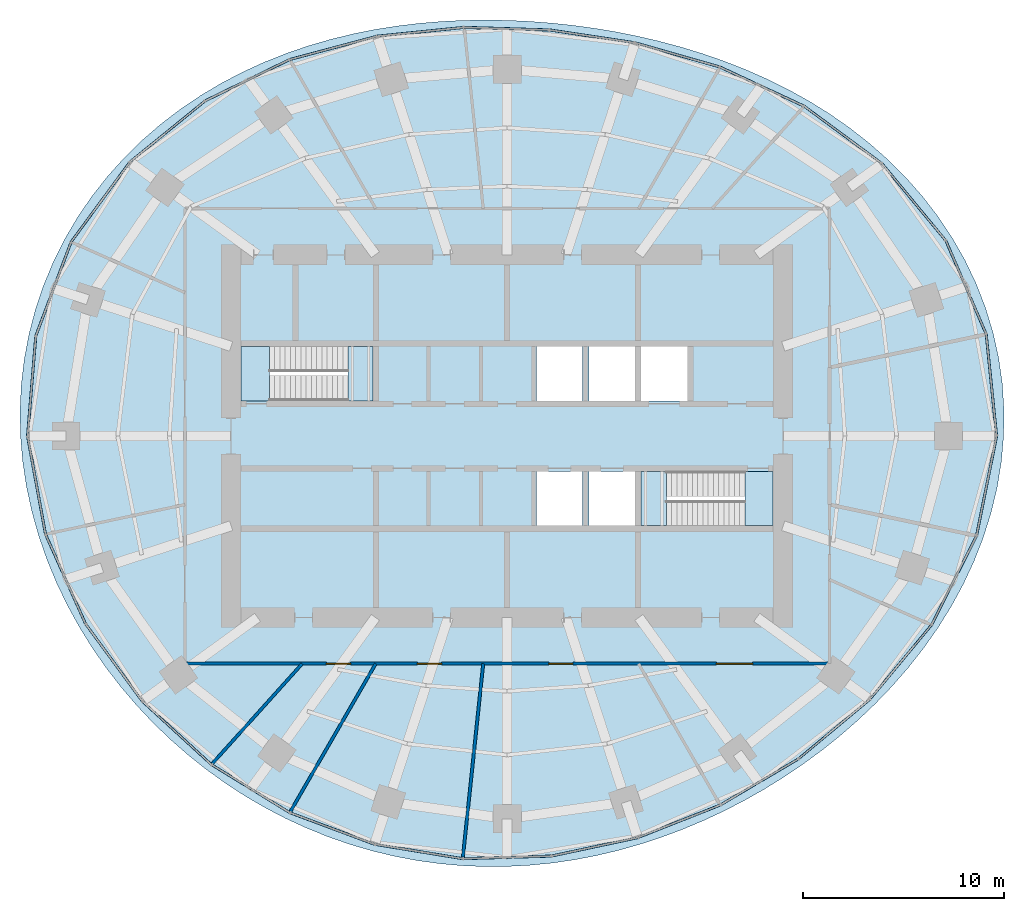
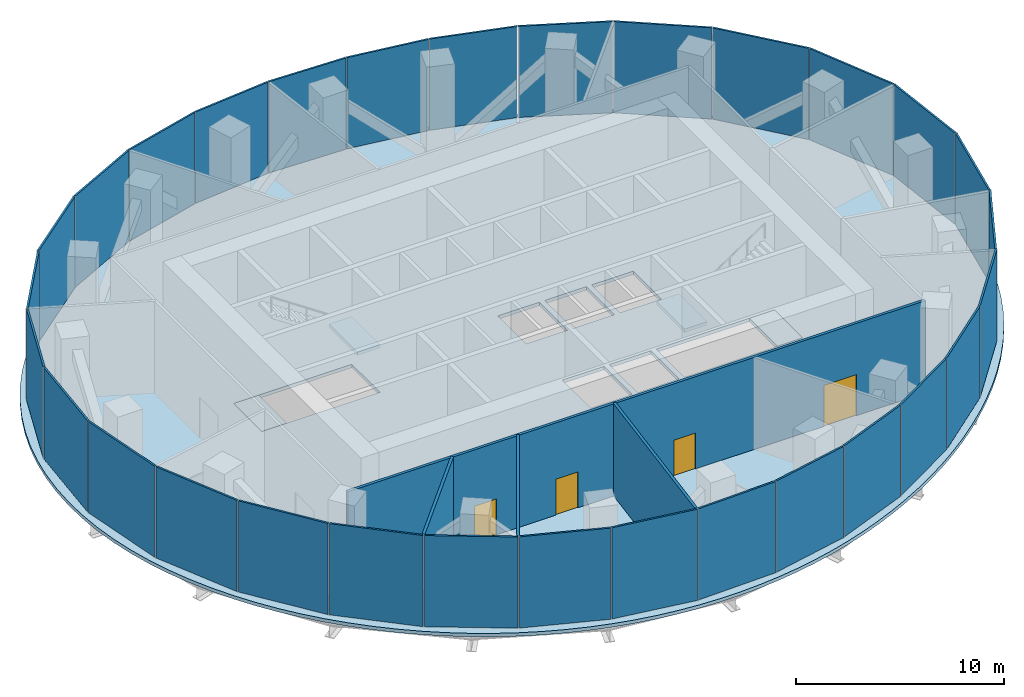
# One storey, part 9 of 13: 30 plates, 5 slabs, 4 doors, 4 walls, 4 openings, 8 elements without a shape of their own.
"""IFC4 building model written with IfcOpenShell, lengths in metres."""

import ifcopenshell
import ifcopenshell.guid

model = None  # the IFC model being written
_history = None  # IfcOwnerHistory: only IFC2X3 demands one
_inside = {}  # id of a spatial element -> (the spatial element, [elements in it])
_under = {}  # id of a project, library or spatial element -> (it, [spatial elements below it])
_declared = {}  # id of a project -> (the project, [libraries it declares])
_typed = {}  # id of a type object -> (the type object, [elements of that type])
_made_of = {}  # id of a material, layer set ... -> (it, [elements and type objects made of it])


def new_model(schema):
    """Start an empty IFC model of exactly this schema.

    Asked for "IFC4X3", IfcOpenShell would pick the latest addendum, in which some entities
    have other attributes; the version numbers below select the first issue.
    IFC2X3 requires an IfcOwnerHistory on every rooted entity: one is made here for all.
    """
    global model, _history
    if schema == "IFC4X3":
        model = ifcopenshell.file(schema_version=(4, 3, 0, 0))
    else:
        model = ifcopenshell.file(schema=schema)
    _inside.clear()
    _under.clear()
    _declared.clear()
    _typed.clear()
    _made_of.clear()
    _history = None
    if model.schema == "IFC2X3":
        org = make("IfcOrganization", Name="unknown")
        user = make(
            "IfcPersonAndOrganization",
            ThePerson=make("IfcPerson", FamilyName="unknown"),
            TheOrganization=org,
        )
        app = make(
            "IfcApplication",
            ApplicationDeveloper=org,
            Version="unknown",
            ApplicationFullName="unknown",
            ApplicationIdentifier="unknown",
        )
        _history = make(
            "IfcOwnerHistory",
            OwningUser=user,
            OwningApplication=app,
            ChangeAction="ADDED",
            CreationDate=0,
        )
    return model


def make(cls, **values):
    """One entity of the class cls with the attributes given. An attribute that is None is left unset."""
    return model.create_entity(
        cls, **{name: value for name, value in values.items() if value is not None}
    )


def rooted(cls, **values):
    """An entity with a GlobalId (a new one), such as an element, a storey or a relation."""
    return make(cls, GlobalId=ifcopenshell.guid.new(), OwnerHistory=_history, **values)


def si_unit(unit_type, name, prefix=None):
    """IfcSIUnit, for example si_unit("LENGTHUNIT", "METRE", prefix="MILLI")."""
    return make("IfcSIUnit", UnitType=unit_type, Prefix=prefix, Name=name)


def assignment(units):
    """IfcUnitAssignment: the units of a project."""
    return None if units is None else make("IfcUnitAssignment", Units=units)


def point(xyz):
    """IfcCartesianPoint."""
    return None if xyz is None else make("IfcCartesianPoint", Coordinates=xyz)


def direction(xyz):
    """IfcDirection."""
    return None if xyz is None else make("IfcDirection", DirectionRatios=xyz)


def frame(location, z_axis=None, x_axis=None):
    """IfcAxis2Placement3D, a coordinate frame: its origin and axes. An axis left out is left unset."""
    return make(
        "IfcAxis2Placement3D",
        Location=point(location),
        Axis=direction(z_axis),
        RefDirection=direction(x_axis),
    )


def frame_2d(location, x_axis=None):
    """IfcAxis2Placement2D, a coordinate frame in the plane: its origin and x axis."""
    return make(
        "IfcAxis2Placement2D", Location=point(location), RefDirection=direction(x_axis)
    )


def origin():
    """The frame at (0, 0, 0) with its axes left unset."""
    return frame((0.0, 0.0, 0.0))


def origin_2d():
    """The frame at (0, 0) in the plane with its x axis left unset."""
    return frame_2d((0.0, 0.0))


def place(relative_to, where):
    """IfcLocalPlacement: puts the frame where relative to a parent placement (None: the world)."""
    return make(
        "IfcLocalPlacement", PlacementRelTo=relative_to, RelativePlacement=where
    )


def context(
    kind, dimensions, precision=None, world=None, true_north=None, identifier=None
):
    """IfcGeometricRepresentationContext, for example the 3D "Model" context."""
    return make(
        "IfcGeometricRepresentationContext",
        ContextIdentifier=identifier,
        ContextType=kind,
        CoordinateSpaceDimension=dimensions,
        Precision=precision,
        WorldCoordinateSystem=world,
        TrueNorth=true_north,
    )


def subcontext(parent, identifier, kind, view, scale=None):
    """IfcGeometricRepresentationSubContext, for example "Body" below "Model"."""
    return make(
        "IfcGeometricRepresentationSubContext",
        ContextIdentifier=identifier,
        ContextType=kind,
        ParentContext=parent,
        TargetScale=scale,
        TargetView=view,
    )


def project(units=None, contexts=None):
    """IfcProject with its units and contexts."""
    return rooted(
        "IfcProject",
        Name="project",
        RepresentationContexts=contexts,
        UnitsInContext=assignment(units),
    )


def spatial(cls, under=None, at=None, **own):
    """A site, building, storey or space (cls), placed at a placement, below another one or the project."""
    s = rooted(cls, ObjectPlacement=at, **own)
    if under is not None:
        _under.setdefault(under.id(), (under, []))[1].append(s)
    return s


def polyline(points):
    """IfcPolyline through the points."""
    return make("IfcPolyline", Points=[point(p) for p in points])


def profile(cls, at=None, kind="AREA", **sizes):
    """A parametric profile (cls). Its sizes go by their IFC names, for example OverallWidth=200.0."""
    return make(cls, ProfileType=kind, Position=at, **sizes)


def rectangle(**sizes):
    """IfcRectangleProfileDef."""
    return profile("IfcRectangleProfileDef", **sizes)


def outline(outer, holes=None, kind="AREA"):
    """IfcArbitraryClosedProfileDef: a profile drawn as a closed curve; with holes, ...WithVoids."""
    if holes is None:
        return make("IfcArbitraryClosedProfileDef", ProfileType=kind, OuterCurve=outer)
    return make(
        "IfcArbitraryProfileDefWithVoids",
        ProfileType=kind,
        OuterCurve=outer,
        InnerCurves=holes,
    )


def extrude(swept, where, along, depth):
    """IfcExtrudedAreaSolid: the profile swept, set in the frame where, extruded along a direction by depth."""
    return make(
        "IfcExtrudedAreaSolid",
        SweptArea=swept,
        Position=where,
        ExtrudedDirection=direction(along),
        Depth=depth,
    )


def shape(context_of_items, identifier, shape_type, items):
    """IfcShapeRepresentation: the items that make up one representation, for example the "Body"."""
    return make(
        "IfcShapeRepresentation",
        ContextOfItems=context_of_items,
        RepresentationIdentifier=identifier,
        RepresentationType=shape_type,
        Items=items,
    )


def material(Name=None, Category=None):
    """IfcMaterial."""
    return make("IfcMaterial", Name=Name, Category=Category)


def layer(
    of_material, thickness, ventilated=None, Name=None, Category=None, Priority=None
):
    """IfcMaterialLayer: one layer of a wall or slab, of a material (None: an air gap)."""
    return make(
        "IfcMaterialLayer",
        Material=of_material,
        LayerThickness=thickness,
        IsVentilated=ventilated,
        Name=Name,
        Category=Category,
        Priority=Priority,
    )


def layer_set(layers, Name=None):
    """IfcMaterialLayerSet."""
    return make("IfcMaterialLayerSet", MaterialLayers=layers, LayerSetName=Name)


def made_of(thing, what):
    """Note that an element or type object is made of a material, layer set ...; save() writes the relation."""
    if what is not None:
        _made_of.setdefault(what.id(), (what, []))[1].append(thing)
    return thing


def type_object(cls, material=None, **own):
    """A type object (cls), such as IfcWallType, which elements share."""
    return made_of(rooted(cls, **own), material)


def element(
    cls,
    number,
    at=None,
    inside=None,
    cuts=None,
    type_object=None,
    material=None,
    context=None,
    identifier="Body",
    shape_type=None,
    held_by="IfcProductDefinitionShape",
    body=None,
    shapes=None,
    **own,
):
    """One element of the class cls, such as IfcWall. Its Tag is "e" and its number.

    at: its placement. inside: the storey or other place that contains it. cuts: it is an
    opening in that element (IfcRelVoidsElement). A single representation is given by context,
    identifier, shape_type and body (its items); several are given by shapes. held_by: the class
    of the entity that holds the representations. save() writes the other relations.
    """
    e = rooted(cls, Tag="e%d" % number, ObjectPlacement=at, **own)
    if body is not None:
        shapes = [shape(context, identifier, shape_type, body)]
    if shapes is not None:
        e.Representation = make(held_by, Representations=shapes)
    if inside is not None:
        _inside.setdefault(inside.id(), (inside, []))[1].append(e)
    if cuts is not None:
        rooted(
            "IfcRelVoidsElement", RelatingBuildingElement=cuts, RelatedOpeningElement=e
        )
    if type_object is not None:
        _typed.setdefault(type_object.id(), (type_object, []))[1].append(e)
    return made_of(e, material)


def fill(opening, filler):
    """IfcRelFillsElement: the door or window that sits in an opening."""
    return rooted(
        "IfcRelFillsElement",
        RelatingOpeningElement=opening,
        RelatedBuildingElement=filler,
    )


def aggregate(whole, parts):
    """IfcRelAggregates: a whole, such as a stair, and the parts it consists of."""
    return rooted("IfcRelAggregates", RelatingObject=whole, RelatedObjects=parts)


def save(model, path):
    """Write the relations noted so far, then the file.

    IfcRelAggregates (storeys below a building ...), IfcRelContainedInSpatialStructure (elements
    in a storey), IfcRelDefinesByType, IfcRelAssociatesMaterial and IfcRelDeclares: one each for
    every whole, place, type object, material and project.
    """
    for whole, parts in _under.values():
        aggregate(whole, parts)
    for where, things in _inside.values():
        rooted(
            "IfcRelContainedInSpatialStructure",
            RelatedElements=things,
            RelatingStructure=where,
        )
    for kind, things in _typed.values():
        rooted("IfcRelDefinesByType", RelatedObjects=things, RelatingType=kind)
    for what, things in _made_of.values():
        rooted("IfcRelAssociatesMaterial", RelatedObjects=things, RelatingMaterial=what)
    for by, libraries in _declared.values():
        rooted("IfcRelDeclares", RelatingContext=by, RelatedDefinitions=libraries)
    model.write(path)


model = new_model("IFC4")

# Units and contexts
model_context = context("Model", 3, precision=1e-05, world=origin(), true_north=direction((0.0, 1.0)))
body_context = subcontext(model_context, "Body", "Model", "MODEL_VIEW")
ifc_project = project(units=[si_unit("LENGTHUNIT", "METRE"), si_unit("AREAUNIT", "SQUARE_METRE"), si_unit("VOLUMEUNIT", "CUBIC_METRE"), si_unit("PLANEANGLEUNIT", "RADIAN"), si_unit("MASSUNIT", "GRAM", prefix="KILO")], contexts=[model_context])

# Site, building, storey
site_placement = place(None, origin())
site = spatial("IfcSite", under=ifc_project, at=site_placement, CompositionType="ELEMENT")
building_placement = place(site_placement, origin())
building = spatial("IfcBuilding", under=site, at=building_placement, Name="Marramba Exchange Tower", CompositionType="ELEMENT")
storey_placement = place(building_placement, frame((0.0, 0.0, 246.199951171875)))
storey = spatial("IfcBuildingStorey", under=building, at=storey_placement, Name="L60", CompositionType="ELEMENT", Elevation=246.199951171875)

# Slab
ifc_material_1 = material(Name="Concrete N40", Category="concrete")
ifc_layer_1 = layer(ifc_material_1, 0.199951171875)
ifc_layer_set_1 = layer_set([ifc_layer_1], Name="Floor slab 200")
slab_type_1 = type_object("IfcSlabType", Name="Floor slab 200", PredefinedType="FLOOR", material=ifc_layer_set_1)
slab_1_placement = place(storey_placement, frame((0.0, 0.0, -0.199951171875)))
element("IfcSlab", 1, at=slab_1_placement, inside=storey, type_object=slab_type_1, Name="Floor slab L60", PredefinedType="FLOOR", context=body_context, shape_type="SweptSolid", body=[
    extrude(outline(polyline([(24.64404296875, 0.0), (24.661376953125, 1.29248046875), (24.580078125, 2.58349609375), (24.399658203125, 3.864501953125), (24.12109375, 5.127197265625), (23.7470703125, 6.363037109375), (23.281494140625, 7.564697265625), (22.72900390625, 8.724853515625), (22.095947265625, 9.837646484375), (21.388427734375, 10.89794921875), (20.614013671875, 11.901611328125), (19.780029296875, 12.845458984375), (18.894287109375, 13.7275390625), (17.964111328125, 14.547119140625), (16.996826171875, 15.303955078125), (15.9990234375, 15.9990234375), (14.977294921875, 16.634033203125), (13.936767578125, 17.21044921875), (12.882568359375, 17.7314453125), (11.819091796875, 18.19970703125), (10.749267578125, 18.6181640625), (9.67578125, 18.989990234375), (8.60107421875, 19.318115234375), (7.52587890625, 19.60546875), (6.451171875, 19.8544921875), (5.377197265625, 20.067626953125), (4.303466796875, 20.246337890625), (3.229736328125, 20.39208984375), (2.1552734375, 20.50537109375), (1.078857421875, 20.5869140625), (0.0, 20.63623046875), (-1.082275390625, 20.652587890625), (-2.168701171875, 20.634765625), (-3.259765625, 20.580810546875), (-4.35498046875, 20.4892578125), (-5.45458984375, 20.35693359375), (-6.557373046875, 20.181884765625), (-7.662353515625, 19.9609375), (-8.76708984375, 19.691162109375), (-9.869384765625, 19.369873046875), (-10.96630859375, 18.994384765625), (-12.05419921875, 18.561767578125), (-13.128662109375, 18.070068359375), (-14.185546875, 17.517578125), (-15.218994140625, 16.902587890625), (-16.22412109375, 16.22412109375), (-17.195068359375, 15.482421875), (-18.12548828125, 14.677734375), (-19.009521484375, 13.811279296875), (-19.841064453125, 12.885009765625), (-20.614013671875, 11.901611328125), (-21.32275390625, 10.864501953125), (-21.9619140625, 9.778076171875), (-22.52685546875, 8.647216796875), (-23.01318359375, 7.477294921875), (-23.417724609375, 6.274658203125), (-23.73779296875, 5.045654296875), (-23.971923828125, 3.796875), (-24.119384765625, 2.53515625), (-24.180419921875, 1.267333984375), (-24.156005859375, 0.0), (-24.04833984375, -1.26025390625), (-23.860107421875, -2.5078125), (-23.594482421875, -3.737060546875), (-23.25537109375, -4.943115234375), (-22.846923828125, -6.121826171875), (-22.373291015625, -7.26953125), (-21.8388671875, -8.38330078125), (-21.247802734375, -9.460205078125), (-20.604248046875, -10.49853515625), (-19.912109375, -11.496337890625), (-19.174560546875, -12.4521484375), (-18.395263671875, -13.364990234375), (-17.5771484375, -14.233642578125), (-16.72265625, -15.05712890625), (-15.834228515625, -15.834228515625), (-14.914794921875, -16.564453125), (-13.966064453125, -17.24658203125), (-12.990234375, -17.879638671875), (-11.98974609375, -18.46240234375), (-10.96630859375, -18.994384765625), (-9.922607421875, -19.47412109375), (-8.860595703125, -19.901123046875), (-7.78271484375, -20.2744140625), (-6.691162109375, -20.593505859375), (-5.5888671875, -20.858154296875), (-4.478271484375, -21.068115234375), (-3.361328125, -21.22314453125), (-2.2412109375, -21.32373046875), (-1.119873046875, -21.370361328125), (0.0, -21.36376953125), (1.116455078125, -21.3046875), (2.2275390625, -21.194580078125), (3.33154296875, -21.0341796875), (4.426513671875, -20.8251953125), (5.511474609375, -20.56884765625), (6.5849609375, -20.266357421875), (7.646240234375, -19.919189453125), (8.694580078125, -19.528076171875), (9.72900390625, -19.09423828125), (10.749267578125, -18.6181640625), (11.75439453125, -18.100341796875), (12.744140625, -17.541015625), (13.71728515625, -16.939697265625), (14.6728515625, -16.2958984375), (15.609130859375, -15.609130859375), (16.5244140625, -14.878662109375), (17.415771484375, -14.10302734375), (18.280029296875, -13.28125), (19.11376953125, -12.41259765625), (19.912109375, -11.496337890625), (20.669921875, -10.531982421875), (21.3818359375, -9.519775390625), (22.041259765625, -8.4609375), (22.641845703125, -7.356689453125), (23.176513671875, -6.210205078125), (23.638671875, -5.024658203125), (24.022216796875, -3.8046875), (24.32080078125, -2.55615234375), (24.529541015625, -1.28564453125), (24.64404296875, 0.0)]), holes=[polyline([(1.449951171875, 1.75), (3.75, 1.75), (3.75, 4.449951171875), (1.449951171875, 4.449951171875), (1.449951171875, 1.75)]), polyline([(4.050048828125, 1.75), (6.35009765625, 1.75), (6.35009765625, 4.449951171875), (4.050048828125, 4.449951171875), (4.050048828125, 1.75)]), polyline([(1.449951171875, -4.449951171875), (3.75, -4.449951171875), (3.75, -1.75), (1.449951171875, -1.75), (1.449951171875, -4.449951171875)]), polyline([(4.050048828125, -4.449951171875), (6.35009765625, -4.449951171875), (6.35009765625, -1.75), (4.050048828125, -1.75), (4.050048828125, -4.449951171875)]), polyline([(6.64990234375, 1.75), (8.949951171875, 1.75), (8.949951171875, 4.449951171875), (6.64990234375, 4.449951171875), (6.64990234375, 1.75)]), polyline([(-13.199951171875, 1.75), (-6.64990234375, 1.75), (-6.64990234375, 4.449951171875), (-13.199951171875, 4.449951171875), (-13.199951171875, 1.75)]), polyline([(6.64990234375, -4.449951171875), (13.199951171875, -4.449951171875), (13.199951171875, -1.75), (6.64990234375, -1.75), (6.64990234375, -4.449951171875)])]), origin(), (0.0, 0.0, 1.0), 0.199951171875),
])

# Curtain wall, plates
ifc_material_2 = material(Name="Aluminium framing, bronze anodised", Category="aluminium")
curtain_wall_type = type_object("IfcCurtainWallType", Name="Plant floor louvred curtain wall", PredefinedType="USERDEFINED", material=ifc_material_2)
curtain_wall_1_placement = place(storey_placement, origin())
curtain_wall_1 = element("IfcCurtainWall", 2, at=curtain_wall_1_placement, inside=storey, type_object=curtain_wall_type, Name="Curtain wall CW6 L60 F01-F05", ObjectType="RIBBON CURTAIN WALL", PredefinedType="USERDEFINED")
ifc_material_3 = material(Name="Aluminium louvre bank 100 deep, bronze anodised", Category="aluminium")
ifc_layer_2 = layer(ifc_material_3, 0.10009765625)
ifc_layer_set_2 = layer_set([ifc_layer_2], Name="Plant floor louvred curtain wall panel")
plate_type = type_object("IfcPlateType", Name="Plant floor louvred curtain wall panel", PredefinedType="CURTAIN_PANEL", material=ifc_layer_set_2)
plate_1_placement = place(storey_placement, frame((24.033203125, 2.556884765625, 0.06005859375), z_axis=(0.0, 0.0, 1.0), x_axis=(-0.101422472607, 0.994843446001, 0.0)))
plate_1 = element("IfcPlate", 3, at=plate_1_placement, type_object=plate_type, Name="CW6 vision panel", PredefinedType="CURTAIN_PANEL", context=body_context, shape_type="SweptSolid", body=[
    extrude(rectangle(XDim=5.0205078125, YDim=0.10009765625, at=origin_2d()), origin(), (0.0, 0.0, 1.0), 5.340087890625),
])
plate_2_placement = place(storey_placement, frame((22.765625, 7.40234375, 0.06005859375), z_axis=(0.0, 0.0, 1.0), x_axis=(-0.396193346946, 0.918167104527, 0.0)))
plate_2 = element("IfcPlate", 4, at=plate_2_placement, type_object=plate_type, Name="CW6 vision panel", PredefinedType="CURTAIN_PANEL", context=body_context, shape_type="SweptSolid", body=[
    extrude(rectangle(XDim=4.99462890625, YDim=0.10009765625, at=origin_2d()), origin(), (0.0, 0.0, 1.0), 5.340087890625),
])
plate_3_placement = place(storey_placement, frame((20.174560546875, 11.631591796875, 0.06005859375), z_axis=(0.0, 0.0, 1.0), x_axis=(-0.637350227411, 0.770574258342, 0.0)))
plate_3 = element("IfcPlate", 5, at=plate_3_placement, type_object=plate_type, Name="CW6 vision panel", PredefinedType="CURTAIN_PANEL", context=body_context, shape_type="SweptSolid", body=[
    extrude(rectangle(XDim=4.90576171875, YDim=0.10009765625, at=origin_2d()), origin(), (0.0, 0.0, 1.0), 5.340087890625),
])
plate_4_placement = place(storey_placement, frame((16.653076171875, 14.965576171875, 0.06005859375), z_axis=(0.0, 0.0, 1.0), x_axis=(-0.804877259395, 0.593441317494, 0.0)))
plate_4 = element("IfcPlate", 6, at=plate_4_placement, type_object=plate_type, Name="CW6 vision panel", PredefinedType="CURTAIN_PANEL", context=body_context, shape_type="SweptSolid", body=[
    extrude(rectangle(XDim=4.745849609375, YDim=0.10009765625, at=origin_2d()), origin(), (0.0, 0.0, 1.0), 5.340087890625),
])
plate_5_placement = place(storey_placement, frame((12.63134765625, 17.357177734375, 0.06005859375), z_axis=(0.0, 0.0, 1.0), x_axis=(-0.906533907301, 0.422133006189, 0.0)))
plate_5 = element("IfcPlate", 7, at=plate_5_placement, type_object=plate_type, Name="CW6 vision panel", PredefinedType="CURTAIN_PANEL", context=body_context, shape_type="SweptSolid", body=[
    extrude(rectangle(XDim=4.53857421875, YDim=0.10009765625, at=origin_2d()), origin(), (0.0, 0.0, 1.0), 5.340087890625),
])
aggregate(curtain_wall_1, [plate_1, plate_2, plate_3, plate_4, plate_5])

curtain_wall_2_placement = place(storey_placement, origin())
curtain_wall_2 = element("IfcCurtainWall", 8, at=curtain_wall_2_placement, inside=storey, type_object=curtain_wall_type, Name="Curtain wall CW6 L60 F06-F10", ObjectType="RIBBON CURTAIN WALL", PredefinedType="USERDEFINED")
plate_6_placement = place(storey_placement, frame((8.4296875, 18.926513671875, 0.06005859375), z_axis=(0.0, 0.0, 1.0), x_axis=(-0.961658954195, 0.274248164656, 0.0)))
plate_6 = element("IfcPlate", 9, at=plate_6_placement, type_object=plate_type, Name="CW6 vision panel", PredefinedType="CURTAIN_PANEL", context=body_context, shape_type="SweptSolid", body=[
    extrude(rectangle(XDim=4.33984375, YDim=0.10009765625, at=origin_2d()), origin(), (0.0, 0.0, 1.0), 5.340087890625),
])
plate_7_placement = place(storey_placement, frame((4.201171875, 19.843994140625, 0.06005859375), z_axis=(0.0, 0.0, 1.0), x_axis=(-0.988868065698, 0.148794988635, 0.0)))
plate_7 = element("IfcPlate", 10, at=plate_7_placement, type_object=plate_type, Name="CW6 vision panel", PredefinedType="CURTAIN_PANEL", context=body_context, shape_type="SweptSolid", body=[
    extrude(rectangle(XDim=4.2119140625, YDim=0.10009765625, at=origin_2d()), origin(), (0.0, 0.0, 1.0), 5.340087890625),
])
plate_8_placement = place(storey_placement, frame((-0.036865234375, 20.222900390625, 0.06005859375), z_axis=(0.0, 0.0, 1.0), x_axis=(-0.999538000143, 0.03039385249, 0.0)))
plate_8 = element("IfcPlate", 11, at=plate_8_placement, type_object=plate_type, Name="CW6 vision panel", PredefinedType="CURTAIN_PANEL", context=body_context, shape_type="SweptSolid", body=[
    extrude(rectangle(XDim=4.19287109375, YDim=0.10009765625, at=origin_2d()), origin(), (0.0, 0.0, 1.0), 5.340087890625),
])
plate_9_placement = place(storey_placement, frame((-4.320556640625, 20.064697265625, 0.06005859375), z_axis=(0.0, 0.0, 1.0), x_axis=(-0.994900357369, -0.100862673507, 0.0)))
plate_9 = element("IfcPlate", 12, at=plate_9_placement, type_object=plate_type, Name="CW6 vision panel", PredefinedType="CURTAIN_PANEL", context=body_context, shape_type="SweptSolid", body=[
    extrude(rectangle(XDim=4.279296875, YDim=0.10009765625, at=origin_2d()), origin(), (0.0, 0.0, 1.0), 5.340087890625),
])
plate_10_placement = place(storey_placement, frame((-8.6494140625, 19.262451171875, 0.06005859375), z_axis=(0.0, 0.0, 1.0), x_axis=(-0.966240653155, -0.257641223778, 0.0)))
plate_10 = element("IfcPlate", 13, at=plate_10_placement, type_object=plate_type, Name="CW6 vision panel", PredefinedType="CURTAIN_PANEL", context=body_context, shape_type="SweptSolid", body=[
    extrude(rectangle(XDim=4.433837890625, YDim=0.10009765625, at=origin_2d()), origin(), (0.0, 0.0, 1.0), 5.340087890625),
])
aggregate(curtain_wall_2, [plate_6, plate_7, plate_8, plate_9, plate_10])

curtain_wall_3_placement = place(storey_placement, origin())
curtain_wall_3 = element("IfcCurtainWall", 14, at=curtain_wall_3_placement, inside=storey, type_object=curtain_wall_type, Name="Curtain wall CW6 L60 F11-F15", ObjectType="RIBBON CURTAIN WALL", PredefinedType="USERDEFINED")
plate_11_placement = place(storey_placement, frame((-12.9150390625, 17.653564453125, 0.06005859375), z_axis=(0.0, 0.0, 1.0), x_axis=(-0.898500518805, -0.438972456661, 0.0)))
plate_11 = element("IfcPlate", 15, at=plate_11_placement, type_object=plate_type, Name="CW6 vision panel", PredefinedType="CURTAIN_PANEL", context=body_context, shape_type="SweptSolid", body=[
    extrude(rectangle(XDim=4.607177734375, YDim=0.10009765625, at=origin_2d()), origin(), (0.0, 0.0, 1.0), 5.340087890625),
])
plate_12_placement = place(storey_placement, frame((-16.87890625, 15.10498046875, 0.06005859375), z_axis=(0.0, 0.0, 1.0), x_axis=(-0.776432169145, -0.630200830464, 0.0)))
plate_12 = element("IfcPlate", 16, at=plate_12_placement, type_object=plate_type, Name="CW6 vision panel", PredefinedType="CURTAIN_PANEL", context=body_context, shape_type="SweptSolid", body=[
    extrude(rectangle(XDim=4.7587890625, YDim=0.10009765625, at=origin_2d()), origin(), (0.0, 0.0, 1.0), 5.340087890625),
])
plate_13_placement = place(storey_placement, frame((-20.2021484375, 11.596435546875, 0.06005859375), z_axis=(0.0, 0.0, 1.0), x_axis=(-0.591962922138, -0.805965197024, 0.0)))
plate_13 = element("IfcPlate", 17, at=plate_13_placement, type_object=plate_type, Name="CW6 vision panel", PredefinedType="CURTAIN_PANEL", context=body_context, shape_type="SweptSolid", body=[
    extrude(rectangle(XDim=4.865478515625, YDim=0.10009765625, at=origin_2d()), origin(), (0.0, 0.0, 1.0), 5.340087890625),
])
plate_14_placement = place(storey_placement, frame((-22.529296875, 7.276123046875, 0.06005859375), z_axis=(0.0, 0.0, 1.0), x_axis=(-0.351951515885, -0.936018231909, 0.0)))
plate_14 = element("IfcPlate", 18, at=plate_14_placement, type_object=plate_type, Name="CW6 vision panel", PredefinedType="CURTAIN_PANEL", context=body_context, shape_type="SweptSolid", body=[
    extrude(rectangle(XDim=4.921630859375, YDim=0.10009765625, at=origin_2d()), origin(), (0.0, 0.0, 1.0), 5.340087890625),
])
plate_15_placement = place(storey_placement, frame((-23.603271484375, 2.45654296875, 0.06005859375), z_axis=(0.0, 0.0, 1.0), x_axis=(-0.082280890264, -0.996609178714, 0.0)))
plate_15 = element("IfcPlate", 19, at=plate_15_placement, type_object=plate_type, Name="CW6 vision panel", PredefinedType="CURTAIN_PANEL", context=body_context, shape_type="SweptSolid", body=[
    extrude(rectangle(XDim=4.9296875, YDim=0.10009765625, at=origin_2d()), origin(), (0.0, 0.0, 1.0), 5.340087890625),
])
aggregate(curtain_wall_3, [plate_11, plate_12, plate_13, plate_14, plate_15])

curtain_wall_4_placement = place(storey_placement, origin())
curtain_wall_4 = element("IfcCurtainWall", 20, at=curtain_wall_4_placement, inside=storey, type_object=curtain_wall_type, Name="Curtain wall CW6 L60 F16-F20", ObjectType="RIBBON CURTAIN WALL", PredefinedType="USERDEFINED")
plate_16_placement = place(storey_placement, frame((-23.354248046875, -2.464599609375, 0.06005859375), z_axis=(0.0, 0.0, 1.0), x_axis=(0.180327438996, -0.983606636184, 0.0)))
plate_16 = element("IfcPlate", 21, at=plate_16_placement, type_object=plate_type, Name="CW6 vision panel", PredefinedType="CURTAIN_PANEL", context=body_context, shape_type="SweptSolid", body=[
    extrude(rectangle(XDim=4.8916015625, YDim=0.10009765625, at=origin_2d()), origin(), (0.0, 0.0, 1.0), 5.340087890625),
])
plate_17_placement = place(storey_placement, frame((-21.908447265625, -7.12158203125, 0.06005859375), z_axis=(0.0, 0.0, 1.0), x_axis=(0.407557580942, -0.913179510401, 0.0)))
plate_17 = element("IfcPlate", 22, at=plate_17_placement, type_object=plate_type, Name="CW6 vision panel", PredefinedType="CURTAIN_PANEL", context=body_context, shape_type="SweptSolid", body=[
    extrude(rectangle(XDim=4.810302734375, YDim=0.10009765625, at=origin_2d()), origin(), (0.0, 0.0, 1.0), 5.340087890625),
])
plate_18_placement = place(storey_placement, frame((-19.50244140625, -11.2626953125, 0.06005859375), z_axis=(0.0, 0.0, 1.0), x_axis=(0.591223103363, -0.806508054547, 0.0)))
plate_18 = element("IfcPlate", 23, at=plate_18_placement, type_object=plate_type, Name="CW6 vision panel", PredefinedType="CURTAIN_PANEL", context=body_context, shape_type="SweptSolid", body=[
    extrude(rectangle(XDim=4.703125, YDim=0.10009765625, at=origin_2d()), origin(), (0.0, 0.0, 1.0), 5.340087890625),
])
plate_19_placement = place(storey_placement, frame((-16.374267578125, -14.752197265625, 0.06005859375), z_axis=(0.0, 0.0, 1.0), x_axis=(0.737203264245, -0.67567103474, 0.0)))
plate_19 = element("IfcPlate", 24, at=plate_19_placement, type_object=plate_type, Name="CW6 vision panel", PredefinedType="CURTAIN_PANEL", context=body_context, shape_type="SweptSolid", body=[
    extrude(rectangle(XDim=4.594970703125, YDim=0.10009765625, at=origin_2d()), origin(), (0.0, 0.0, 1.0), 5.340087890625),
])
plate_20_placement = place(storey_placement, frame((-12.71044921875, -17.513427734375, 0.06005859375), z_axis=(0.0, 0.0, 1.0), x_axis=(0.85230101176, -0.52305160869, 0.0)))
plate_20 = element("IfcPlate", 25, at=plate_20_placement, type_object=plate_type, Name="CW6 vision panel", PredefinedType="CURTAIN_PANEL", context=body_context, shape_type="SweptSolid", body=[
    extrude(rectangle(XDim=4.503173828125, YDim=0.10009765625, at=origin_2d()), origin(), (0.0, 0.0, 1.0), 5.340087890625),
])
aggregate(curtain_wall_4, [plate_16, plate_17, plate_18, plate_19, plate_20])

curtain_wall_5_placement = place(storey_placement, origin())
curtain_wall_5 = element("IfcCurtainWall", 26, at=curtain_wall_5_placement, inside=storey, type_object=curtain_wall_type, Name="Curtain wall CW6 L60 F21-F25", ObjectType="RIBBON CURTAIN WALL", PredefinedType="USERDEFINED")
plate_21_placement = place(storey_placement, frame((-8.6591796875, -19.486572265625, 0.06005859375), z_axis=(0.0, 0.0, 1.0), x_axis=(0.936951583142, -0.349459197687, 0.0)))
plate_21 = element("IfcPlate", 27, at=plate_21_placement, type_object=plate_type, Name="CW6 vision panel", PredefinedType="CURTAIN_PANEL", context=body_context, shape_type="SweptSolid", body=[
    extrude(rectangle(XDim=4.431396484375, YDim=0.10009765625, at=origin_2d()), origin(), (0.0, 0.0, 1.0), 5.340087890625),
])
plate_22_placement = place(storey_placement, frame((-4.3642578125, -20.623046875, 0.06005859375), z_axis=(0.0, 0.0, 1.0), x_axis=(0.986930623159, -0.161145726194, 0.0)))
plate_22 = element("IfcPlate", 28, at=plate_22_placement, type_object=plate_type, Name="CW6 vision panel", PredefinedType="CURTAIN_PANEL", context=body_context, shape_type="SweptSolid", body=[
    extrude(rectangle(XDim=4.37646484375, YDim=0.10009765625, at=origin_2d()), origin(), (0.0, 0.0, 1.0), 5.340087890625),
])
plate_23_placement = place(storey_placement, frame((0.023193359375, -20.91015625, 0.06005859375), z_axis=(0.0, 0.0, 1.0), x_axis=(0.99956791915, 0.029393451762, 0.0)))
plate_23 = element("IfcPlate", 29, at=plate_23_placement, type_object=plate_type, Name="CW6 vision panel", PredefinedType="CURTAIN_PANEL", context=body_context, shape_type="SweptSolid", body=[
    extrude(rectangle(XDim=4.337646484375, YDim=0.10009765625, at=origin_2d()), origin(), (0.0, 0.0, 1.0), 5.340087890625),
])
plate_24_placement = place(storey_placement, frame((4.36328125, -20.3837890625, 0.06005859375), z_axis=(0.0, 0.0, 1.0), x_axis=(0.978058069607, 0.208332456608, 0.0)))
plate_24 = element("IfcPlate", 30, at=plate_24_placement, type_object=plate_type, Name="CW6 vision panel", PredefinedType="CURTAIN_PANEL", context=body_context, shape_type="SweptSolid", body=[
    extrude(rectangle(XDim=4.32177734375, YDim=0.10009765625, at=origin_2d()), origin(), (0.0, 0.0, 1.0), 5.340087890625),
])
plate_25_placement = place(storey_placement, frame((8.553466796875, -19.11328125, 0.06005859375), z_axis=(0.0, 0.0, 1.0), x_axis=(0.93007301435, 0.367374724195, 0.0)))
plate_25 = element("IfcPlate", 31, at=plate_25_placement, type_object=plate_type, Name="CW6 vision panel", PredefinedType="CURTAIN_PANEL", context=body_context, shape_type="SweptSolid", body=[
    extrude(rectangle(XDim=4.345458984375, YDim=0.10009765625, at=origin_2d()), origin(), (0.0, 0.0, 1.0), 5.340087890625),
])
aggregate(curtain_wall_5, [plate_21, plate_22, plate_23, plate_24, plate_25])

curtain_wall_6_placement = place(storey_placement, origin())
curtain_wall_6 = element("IfcCurtainWall", 32, at=curtain_wall_6_placement, inside=storey, type_object=curtain_wall_type, Name="Curtain wall CW6 L60 F26-F30", ObjectType="RIBBON CURTAIN WALL", PredefinedType="USERDEFINED")
plate_26_placement = place(storey_placement, frame((12.5322265625, -17.16015625, 0.06005859375), z_axis=(0.0, 0.0, 1.0), x_axis=(0.861350833897, 0.508010571686, 0.0)))
plate_26 = element("IfcPlate", 33, at=plate_26_placement, type_object=plate_type, Name="CW6 vision panel", PredefinedType="CURTAIN_PANEL", context=body_context, shape_type="SweptSolid", body=[
    extrude(rectangle(XDim=4.426513671875, YDim=0.10009765625, at=origin_2d()), origin(), (0.0, 0.0, 1.0), 5.340087890625),
])
plate_27_placement = place(storey_placement, frame((16.240966796875, -14.536376953125, 0.06005859375), z_axis=(0.0, 0.0, 1.0), x_axis=(0.768736798421, 0.639565270127, 0.0)))
plate_27 = element("IfcPlate", 34, at=plate_27_placement, type_object=plate_type, Name="CW6 vision panel", PredefinedType="CURTAIN_PANEL", context=body_context, shape_type="SweptSolid", body=[
    extrude(rectangle(XDim=4.568603515625, YDim=0.10009765625, at=origin_2d()), origin(), (0.0, 0.0, 1.0), 5.340087890625),
])
plate_28_placement = place(storey_placement, frame((19.548583984375, -11.203369140625, 0.06005859375), z_axis=(0.0, 0.0, 1.0), x_axis=(0.63814998673, 0.769912069289, 0.0)))
plate_28 = element("IfcPlate", 35, at=plate_28_placement, type_object=plate_type, Name="CW6 vision panel", PredefinedType="CURTAIN_PANEL", context=body_context, shape_type="SweptSolid", body=[
    extrude(rectangle(XDim=4.7431640625, YDim=0.10009765625, at=origin_2d()), origin(), (0.0, 0.0, 1.0), 5.340087890625),
])
plate_29_placement = place(storey_placement, frame((22.19287109375, -7.137939453125, 0.06005859375), z_axis=(0.0, 0.0, 1.0), x_axis=(0.450673083956, 0.892689067591, 0.0)))
plate_29 = element("IfcPlate", 36, at=plate_29_placement, type_object=plate_type, Name="CW6 vision panel", PredefinedType="CURTAIN_PANEL", context=body_context, shape_type="SweptSolid", body=[
    extrude(rectangle(XDim=4.897705078125, YDim=0.10009765625, at=origin_2d()), origin(), (0.0, 0.0, 1.0), 5.340087890625),
])
plate_30_placement = place(storey_placement, frame((23.801025390625, -2.446533203125, 0.06005859375), z_axis=(0.0, 0.0, 1.0), x_axis=(0.197495405316, 0.980303812539, 0.0)))
plate_30 = element("IfcPlate", 37, at=plate_30_placement, type_object=plate_type, Name="CW6 vision panel", PredefinedType="CURTAIN_PANEL", context=body_context, shape_type="SweptSolid", body=[
    extrude(rectangle(XDim=4.9912109375, YDim=0.10009765625, at=origin_2d()), origin(), (0.0, 0.0, 1.0), 5.340087890625),
])
aggregate(curtain_wall_6, [plate_26, plate_27, plate_28, plate_29, plate_30])

# Stair, slabs
ifc_material_4 = material(Name="Concrete N40 (40 MPa)", Category="concrete")
stair_type_1 = type_object("IfcStairType", Name="Exit stair ST1 5600 x 1250", PredefinedType="HALF_TURN_STAIR", material=ifc_material_4)
stair_1_placement = place(storey_placement, origin())
stair_1 = element("IfcStair", 38, at=stair_1_placement, inside=storey, type_object=stair_type_1, Name="Exit stair ST1 L60", PredefinedType="HALF_TURN_STAIR")
ifc_layer_3 = layer(ifc_material_4, 0.199951171875)
ifc_layer_set_3 = layer_set([ifc_layer_3], Name="Stair landing 200")
slab_type_2 = type_object("IfcSlabType", Name="Stair landing 200", PredefinedType="LANDING", material=ifc_layer_set_3)
slab_2_placement = place(storey_placement, frame((0.0, 0.0, -0.199951171875)))
slab_2 = element("IfcSlab", 39, at=slab_2_placement, type_object=slab_type_2, Name="ST1 landing 1", PredefinedType="LANDING", context=body_context, shape_type="SweptSolid", body=[
    extrude(outline(polyline([(-13.199951171875, 1.75), (-11.800048828125, 1.75), (-11.800048828125, 4.449951171875), (-13.199951171875, 4.449951171875), (-13.199951171875, 1.75)])), origin(), (0.0, 0.0, 1.0), 0.199951171875),
])
slab_3_placement = place(storey_placement, frame((0.0, 0.0, 2.60009765625)))
slab_3 = element("IfcSlab", 40, at=slab_3_placement, type_object=slab_type_2, Name="ST1 landing 2", PredefinedType="LANDING", context=body_context, shape_type="SweptSolid", body=[
    extrude(outline(polyline([(-7.89990234375, 1.75), (-6.64990234375, 1.75), (-6.64990234375, 4.449951171875), (-7.89990234375, 4.449951171875), (-7.89990234375, 1.75)])), origin(), (0.0, 0.0, 1.0), 0.199951171875),
])
aggregate(stair_1, [slab_2, slab_3])

stair_type_2 = type_object("IfcStairType", Name="Exit stair ST2 5600 x 1250", PredefinedType="HALF_TURN_STAIR", material=ifc_material_4)
stair_2_placement = place(storey_placement, origin())
stair_2 = element("IfcStair", 41, at=stair_2_placement, inside=storey, type_object=stair_type_2, Name="Exit stair ST2 L60", PredefinedType="HALF_TURN_STAIR")
slab_4_placement = place(storey_placement, frame((0.0, 0.0, -0.199951171875)))
slab_4 = element("IfcSlab", 42, at=slab_4_placement, type_object=slab_type_2, Name="ST2 landing 1", PredefinedType="LANDING", context=body_context, shape_type="SweptSolid", body=[
    extrude(outline(polyline([(11.800048828125, -4.449951171875), (13.199951171875, -4.449951171875), (13.199951171875, -1.75), (11.800048828125, -1.75), (11.800048828125, -4.449951171875)])), origin(), (0.0, 0.0, 1.0), 0.199951171875),
])
slab_5_placement = place(storey_placement, frame((0.0, 0.0, 2.60009765625)))
slab_5 = element("IfcSlab", 43, at=slab_5_placement, type_object=slab_type_2, Name="ST2 landing 2", PredefinedType="LANDING", context=body_context, shape_type="SweptSolid", body=[
    extrude(outline(polyline([(6.64990234375, -4.449951171875), (7.89990234375, -4.449951171875), (7.89990234375, -1.75), (6.64990234375, -1.75), (6.64990234375, -4.449951171875)])), origin(), (0.0, 0.0, 1.0), 0.199951171875),
])
aggregate(stair_2, [slab_4, slab_5])

# Walls
ifc_material_5 = material(Name="Fire-rated plasterboard on steel studs, acoustic insulation", Category="steel")
ifc_layer_4 = layer(ifc_material_5, 0.14990234375)
ifc_layer_set_4 = layer_set([ifc_layer_4], Name="Tenancy wall 150")
wall_type = type_object("IfcWallType", Name="Tenancy wall 150", PredefinedType="PARTITIONING", material=ifc_layer_set_4)
wall_1_placement = place(storey_placement, frame((-10.174560546875, -11.300048828125, 0.0), z_axis=(0.0, 0.0, 1.0), x_axis=(-0.669116748293, -0.743157303102, 0.0)))
element("IfcWall", 44, at=wall_1_placement, inside=storey, type_object=wall_type, Name="Tenancy wall L60 02", PredefinedType="PARTITIONING", context=body_context, shape_type="SweptSolid", body=[
    extrude(rectangle(XDim=6.654052734375, YDim=0.14990234375, at=frame_2d((3.3271484375, 0.0))), origin(), (0.0, 0.0, 1.0), 5.400146484375),
])
wall_2_placement = place(storey_placement, frame((-6.524169921875, -11.300048828125, 0.0), z_axis=(0.0, 0.0, 1.0), x_axis=(-0.500005748546, -0.866022084834, 0.0)))
element("IfcWall", 45, at=wall_2_placement, inside=storey, type_object=wall_type, Name="Tenancy wall L60 03", PredefinedType="PARTITIONING", context=body_context, shape_type="SweptSolid", body=[
    extrude(rectangle(XDim=8.45458984375, YDim=0.14990234375, at=frame_2d((4.227294921875, 0.0))), origin(), (0.0, 0.0, 1.0), 5.400146484375),
])
wall_3_placement = place(storey_placement, frame((-1.187744140625, -11.300048828125, 0.0), z_axis=(0.0, 0.0, 1.0), x_axis=(-0.10452541089, -0.994522216181, 0.0)))
element("IfcWall", 46, at=wall_3_placement, inside=storey, type_object=wall_type, Name="Tenancy wall L60 04", PredefinedType="PARTITIONING", context=body_context, shape_type="SweptSolid", body=[
    extrude(rectangle(XDim=9.648681640625, YDim=0.14990234375, at=frame_2d((4.82421875, 0.0))), origin(), (0.0, 0.0, 1.0), 5.400146484375),
])

# Wall, openings, doors
wall_4_placement = place(storey_placement, frame((-16.0, -11.300048828125, 0.0), z_axis=(0.0, 0.0, 1.0), x_axis=(1.0, 0.0, 0.0)))
wall_4 = element("IfcWall", 47, at=wall_4_placement, inside=storey, type_object=wall_type, Name="Tenancy wall L60 05", PredefinedType="PARTITIONING", context=body_context, shape_type="SweptSolid", body=[
    extrude(rectangle(XDim=32.0, YDim=0.14990234375, at=frame_2d((16.0, 0.0))), origin(), (0.0, 0.0, 1.0), 5.400146484375),
])
opening_1_placement = place(wall_4_placement, frame((7.02587890625, 0.0, 0.0)))
opening_1 = element("IfcOpeningElement", 48, at=opening_1_placement, cuts=wall_4, Name="Opening D16", PredefinedType="OPENING", context=body_context, shape_type="SweptSolid", body=[
    extrude(rectangle(XDim=1.199951171875, YDim=2.10009765625, at=frame_2d((0.60009765625, 1.050048828125))), frame((0.0, 0.0849609375, 0.0), z_axis=(0.0, -1.0, 0.0), x_axis=(1.0, 0.0, 0.0)), (0.0, 0.0, 1.0), 0.169921875),
])
opening_2_placement = place(wall_4_placement, frame((11.5439453125, 0.0, 0.0)))
opening_2 = element("IfcOpeningElement", 49, at=opening_2_placement, cuts=wall_4, Name="Opening D16", PredefinedType="OPENING", context=body_context, shape_type="SweptSolid", body=[
    extrude(rectangle(XDim=1.199951171875, YDim=2.10009765625, at=frame_2d((0.60009765625, 1.050048828125))), frame((0.0, 0.0849609375, 0.0), z_axis=(0.0, -1.0, 0.0), x_axis=(1.0, 0.0, 0.0)), (0.0, 0.0, 1.0), 0.169921875),
])
opening_3_placement = place(wall_4_placement, frame((18.068115234375, 0.0, 0.0)))
opening_3 = element("IfcOpeningElement", 50, at=opening_3_placement, cuts=wall_4, Name="Opening D16", PredefinedType="OPENING", context=body_context, shape_type="SweptSolid", body=[
    extrude(rectangle(XDim=1.199951171875, YDim=2.10009765625, at=frame_2d((0.60009765625, 1.050048828125))), frame((0.0, 0.0849609375, 0.0), z_axis=(0.0, -1.0, 0.0), x_axis=(1.0, 0.0, 0.0)), (0.0, 0.0, 1.0), 0.169921875),
])
opening_4_placement = place(wall_4_placement, frame((26.386962890625, 0.0, 0.0)))
opening_4 = element("IfcOpeningElement", 51, at=opening_4_placement, cuts=wall_4, Name="Opening D18", PredefinedType="OPENING", context=body_context, shape_type="SweptSolid", body=[
    extrude(rectangle(XDim=1.800048828125, YDim=2.39990234375, at=frame_2d((0.89990234375, 1.199951171875))), frame((0.0, 0.0849609375, 0.0), z_axis=(0.0, -1.0, 0.0), x_axis=(1.0, 0.0, 0.0)), (0.0, 0.0, 1.0), 0.169921875),
])
ifc_material_6 = material(Name="Steel-framed door", Category="steel")
door_type_1 = type_object("IfcDoorType", Name="Door pair 1800x2400", OperationType="DOUBLE_DOOR_SINGLE_SWING", PredefinedType="DOOR", material=ifc_material_6)
door_1_placement = place(opening_4_placement, origin())
door_1 = element("IfcDoor", 52, at=door_1_placement, inside=storey, type_object=door_type_1, Name="D18 AHU Plant Room 3 L60", OperationType="DOUBLE_DOOR_SINGLE_SWING", OverallHeight=2.39990234375, OverallWidth=1.800048828125, PredefinedType="DOOR", context=body_context, shape_type="SweptSolid", body=[
    extrude(rectangle(XDim=1.800048828125, YDim=2.39990234375, at=frame_2d((0.89990234375, 1.199951171875))), frame((0.0, 0.02490234375, 0.0), z_axis=(0.0, -1.0, 0.0), x_axis=(1.0, 0.0, 0.0)), (0.0, 0.0, 1.0), 0.050048828125),
])
fill(opening_4, door_1)
door_type_2 = type_object("IfcDoorType", Name="Equipment room door 1200x2100", OperationType="SINGLE_SWING_LEFT", PredefinedType="DOOR", material=ifc_material_6)
door_2_placement = place(opening_1_placement, frame((1.199951171875, 0.0, 0.0), z_axis=(0.0, 0.0, 1.0), x_axis=(-1.0, 0.0, 0.0)))
door_2 = element("IfcDoor", 53, at=door_2_placement, inside=storey, type_object=door_type_2, Name="D16 Outdoor Air Intake Plant Room 2 L60", OperationType="SINGLE_SWING_LEFT", OverallHeight=2.10009765625, OverallWidth=1.199951171875, PredefinedType="DOOR", context=body_context, shape_type="SweptSolid", body=[
    extrude(rectangle(XDim=1.199951171875, YDim=2.10009765625, at=frame_2d((0.599853515625, 1.050048828125))), frame((0.0, 0.025146484375, 0.0), z_axis=(0.0, -1.0, 0.0), x_axis=(1.0, 0.0, 0.0)), (0.0, 0.0, 1.0), 0.050048828125),
])
fill(opening_1, door_2)
door_3_placement = place(opening_2_placement, origin())
door_3 = element("IfcDoor", 54, at=door_3_placement, inside=storey, type_object=door_type_2, Name="D16 Hydraulic Booster Pump Room L60", OperationType="SINGLE_SWING_LEFT", OverallHeight=2.10009765625, OverallWidth=1.199951171875, PredefinedType="DOOR", context=body_context, shape_type="SweptSolid", body=[
    extrude(rectangle(XDim=1.199951171875, YDim=2.10009765625, at=frame_2d((0.60009765625, 1.050048828125))), frame((0.0, 0.02490234375, 0.0), z_axis=(0.0, -1.0, 0.0), x_axis=(1.0, 0.0, 0.0)), (0.0, 0.0, 1.0), 0.050048828125),
])
fill(opening_2, door_3)
door_4_placement = place(opening_3_placement, origin())
door_4 = element("IfcDoor", 55, at=door_4_placement, inside=storey, type_object=door_type_2, Name="D16 Heat Exchanger Plant Room L60", OperationType="SINGLE_SWING_RIGHT", OverallHeight=2.10009765625, OverallWidth=1.199951171875, PredefinedType="DOOR", context=body_context, shape_type="SweptSolid", body=[
    extrude(rectangle(XDim=1.199951171875, YDim=2.10009765625, at=frame_2d((0.60009765625, 1.050048828125))), frame((0.0, 0.02490234375, 0.0), z_axis=(0.0, -1.0, 0.0), x_axis=(1.0, 0.0, 0.0)), (0.0, 0.0, 1.0), 0.050048828125),
])
fill(opening_3, door_4)

save(model, "model.ifc")
